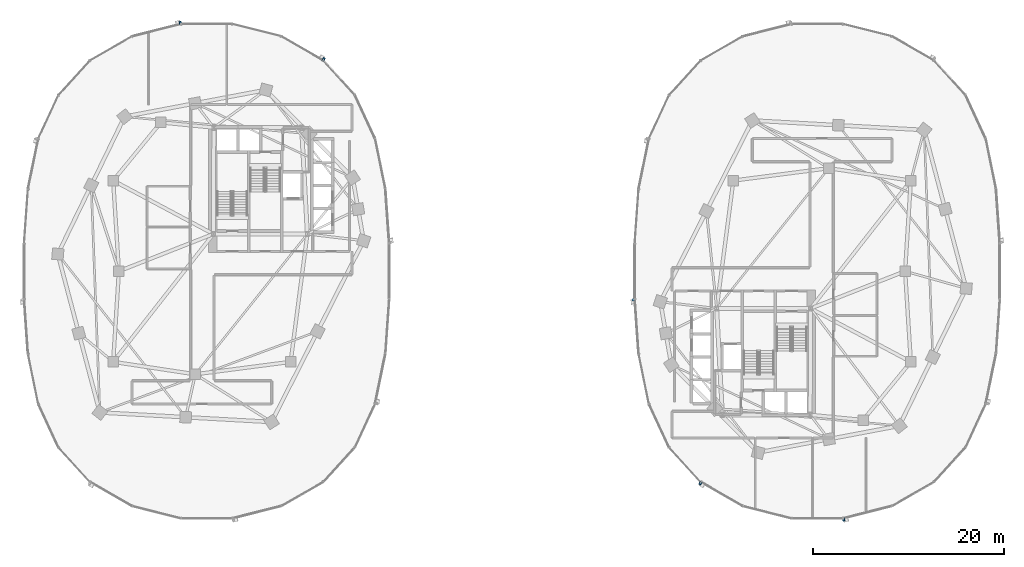
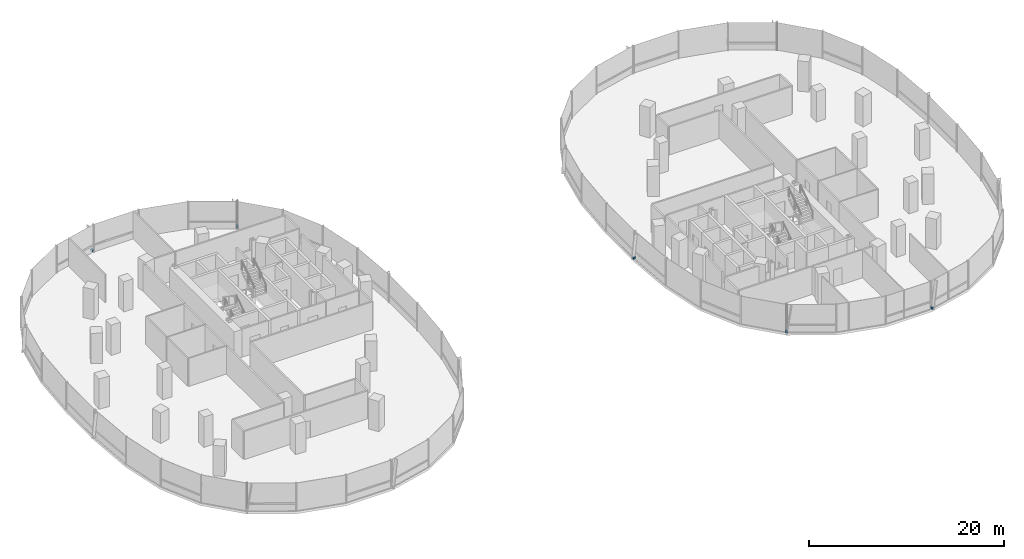
# One storey, part 15 of 21: 5 discrete accessories.
"""IFC4 building model written with IfcOpenShell, lengths in metres."""

from ifc_helpers import new_model, si_unit, direction, frame, origin, origin_2d, place, context, subcontext, project, spatial, rectangle, extrude, material, type_object, element, save


model = new_model("IFC4")

# Units and contexts
model_context = context("Model", 3, precision=1e-05, world=origin(), true_north=direction((0.0, 1.0)))
body_context = subcontext(model_context, "Body", "Model", "MODEL_VIEW")
ifc_project = project(units=[si_unit("LENGTHUNIT", "METRE"), si_unit("AREAUNIT", "SQUARE_METRE"), si_unit("VOLUMEUNIT", "CUBIC_METRE"), si_unit("PLANEANGLEUNIT", "RADIAN"), si_unit("MASSUNIT", "GRAM", prefix="KILO"), si_unit("THERMODYNAMICTEMPERATUREUNIT", "KELVIN"), si_unit("POWERUNIT", "WATT")], contexts=[model_context])

# Site, building, storey
site_placement = place(None, origin())
site = spatial("IfcSite", under=ifc_project, at=site_placement, CompositionType="ELEMENT")
building_placement = place(site_placement, origin())
building = spatial("IfcBuilding", under=site, at=building_placement, Name="Cundina Bronze Exchange", CompositionType="ELEMENT")
storey_placement = place(building_placement, frame((0.0, 0.0, 69.60009765625)))
storey = spatial("IfcBuildingStorey", under=building, at=storey_placement, Name="L17", CompositionType="ELEMENT", Elevation=69.60009765625)

# Discrete accessories
ifc_material = material(Name="Anodised Bronze Aluminium 6063-T6", Category="aluminium")
discrete_accessory_type = type_object("IfcDiscreteAccessoryType", Name="ACC-BRK-FIN", PredefinedType="BRACKET", material=ifc_material)
for number, where, z_axis, x_axis, name in (
    (1, (-19.740478515625, 22.21875, 0.10009765625), (0.0, 0.0, 1.0), (-0.867105478933, 0.498124571171, 0.0), "L17 Fin Support Bracket 5"),
    (2, (-34.76025390625, 26.03173828125, 0.10009765625), (0.0, 0.0, 1.0), (-0.969488149345, -0.245138182011, 0.0), "L17 Fin Support Bracket 1"),
    (3, (12.735595703125, -2.986083984375, 0.10009765625), (0.0, 0.0, 1.0), (0.070278787473, -0.997527389113, 0.0), "L17 Fin Support Bracket 1"),
    (4, (19.740478515625, -22.21875, 0.10009765625), (0.0, 0.0, 1.0), (0.867105478933, -0.498124571171, 0.0), "L17 Fin Support Bracket 5"),
    (5, (34.76025390625, -26.03173828125, 0.10009765625), (0.0, 0.0, 1.0), (0.969488149345, 0.245138182011, 0.0), "L17 Fin Support Bracket 1"),
):
    element("IfcDiscreteAccessory", number, at=place(storey_placement, frame(where, z_axis=z_axis, x_axis=x_axis)), inside=storey, type_object=discrete_accessory_type, Name=name, PredefinedType="BRACKET", context=body_context, shape_type="SweptSolid", body=[
        extrude(rectangle(XDim=0.219970703125, YDim=0.320068359375, at=origin_2d()), origin(), (0.0, 0.0, 1.0), 0.239990234375),
    ])

save(model, "model.ifc")
